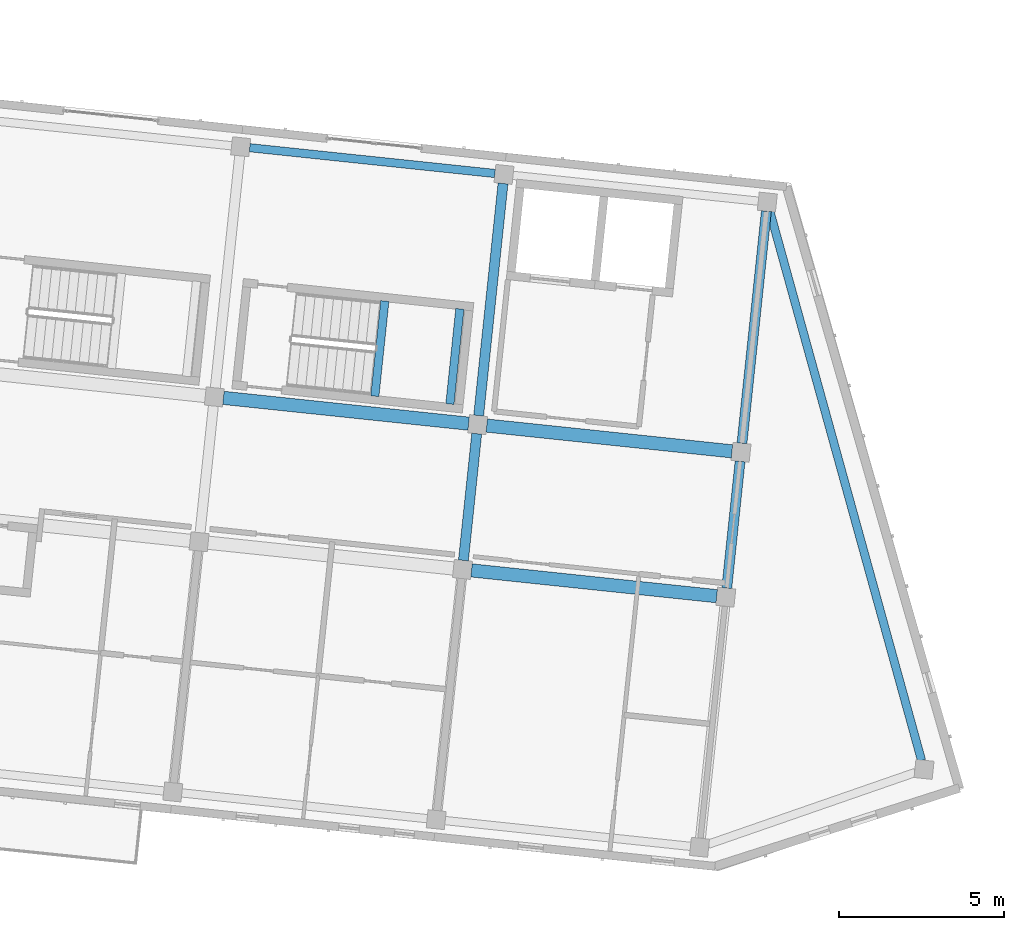
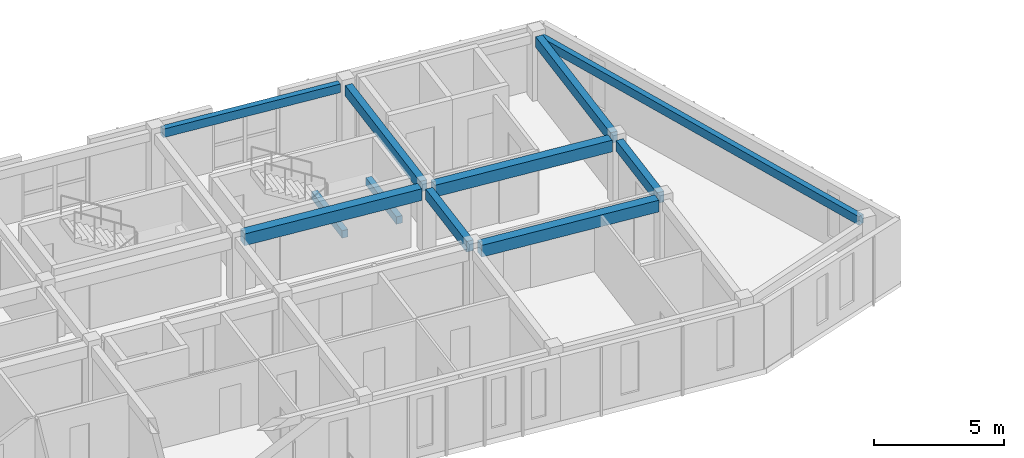
# One storey, part 15 of 68: 11 beams.
"""IFC4 building model written with IfcOpenShell, lengths in metres."""

from ifc_helpers import new_model, si_unit, direction, frame, origin, origin_2d, place, context, subcontext, project, spatial, rectangle, extrude, material, material_profile, profile_set, type_object, element, save


model = new_model("IFC4")

# Units and contexts
model_context = context("Model", 3, precision=1e-05, world=origin(), true_north=direction((0.0, 1.0)))
body_context = subcontext(model_context, "Body", "Model", "MODEL_VIEW")
ifc_project = project(units=[si_unit("LENGTHUNIT", "METRE"), si_unit("AREAUNIT", "SQUARE_METRE"), si_unit("VOLUMEUNIT", "CUBIC_METRE"), si_unit("PLANEANGLEUNIT", "RADIAN"), si_unit("MASSUNIT", "GRAM", prefix="KILO")], contexts=[model_context])

# Site, building, storey
site_placement = place(None, origin())
site = spatial("IfcSite", under=ifc_project, at=site_placement, CompositionType="ELEMENT")
building_placement = place(site_placement, origin())
building = spatial("IfcBuilding", under=site, at=building_placement, Name="Kestramere Prow Commons", CompositionType="ELEMENT")
storey_placement = place(building_placement, frame((0.0, 0.0, 18.14990234375)))
storey = spatial("IfcBuildingStorey", under=building, at=storey_placement, Name="L05", CompositionType="ELEMENT", Elevation=18.14990234375)

# Beams
ifc_material_1 = material(Name="Precast concrete C40/50", Category="concrete")
ifc_material_profile_1 = material_profile(ifc_material_1, rectangle(XDim=0.39990234375, YDim=0.550048828125, at=origin_2d()), Name="PC-BM 400x550")
ifc_profile_set_1 = profile_set([ifc_material_profile_1], Name="Precast concrete C40/50")
beam_type_1 = type_object("IfcBeamType", Name="BM-B1 PC-BM 400x550", PredefinedType="BEAM", material=ifc_profile_set_1)
for number, where, z_axis, x_axis, name in (
    (1, (150.848876953125, 98.1484375, 2.72509765625), (0.994520884665, -0.104538079019, 0.0), (0.104538079019, 0.994520884665, 0.0), "Block B L05 Longitudinal Beam 2-6"),
    (2, (143.3525390625, 103.360595703125, 2.72509765625), (0.994520884665, -0.104538079019, 0.0), (0.104538079019, 0.994520884665, 0.0), "Block B L05 Longitudinal Beam 3-5"),
):
    element("IfcBeam", number, at=place(storey_placement, frame(where, z_axis=z_axis, x_axis=x_axis)), inside=storey, type_object=beam_type_1, Name=name, PredefinedType="BEAM", context=body_context, shape_type="SweptSolid", body=[
        extrude(rectangle(XDim=0.39990234375, YDim=0.550048828125, at=origin_2d()), origin(), (0.0, 0.0, 1.0), 7.449951171875),
    ])
beam_1_placement = place(storey_placement, frame((151.30859375, 102.5244140625, 2.72509765625), z_axis=(0.994521242771, -0.104534672129, 0.0), x_axis=(0.104534672129, 0.994521242771, 0.0)))
element("IfcBeam", 3, at=beam_1_placement, inside=storey, type_object=beam_type_1, Name="Block B L05 Longitudinal Beam 3-6", PredefinedType="BEAM", context=body_context, shape_type="SweptSolid", body=[
    extrude(rectangle(XDim=0.39990234375, YDim=0.550048828125, at=origin_2d()), origin(), (0.0, 0.0, 1.0), 7.4501953125),
])
ifc_material_2 = material(Name="Concrete C40/50", Category="concrete")
ifc_material_profile_2 = material_profile(ifc_material_2, rectangle(XDim=0.25, YDim=0.35009765625, at=origin_2d()), Name="PC-BM 250x350")
ifc_profile_set_2 = profile_set([ifc_material_profile_2], Name="Concrete C40/50")
beam_type_2 = type_object("IfcBeamType", Name="BM-ST-TRIM", PredefinedType="BEAM", material=ifc_profile_set_2)
for number, where, z_axis, x_axis, name in (
    (4, (147.927978515625, 103.41259765625, 1.25), (0.104579248847, 0.994516556278, 0.0), (-0.994516556278, 0.104579248847, 0.0), "ST-B2 L05 Landing Trimmer Beam 1A"),
    (5, (150.195556640625, 103.17431640625, 1.25), (0.104495697268, 0.994525338668, 0.0), (-0.994525338668, 0.104495697268, 0.0), "ST-B2 L05 Landing Trimmer Beam 1B"),
):
    element("IfcBeam", number, at=place(storey_placement, frame(where, z_axis=z_axis, x_axis=x_axis)), inside=storey, type_object=beam_type_2, Name=name, PredefinedType="BEAM", context=body_context, shape_type="SweptSolid", body=[
        extrude(rectangle(XDim=0.25, YDim=0.35009765625, at=origin_2d()), origin(), (0.0, 0.0, 1.0), 2.89013671875),
    ])
ifc_material_profile_3 = material_profile(ifc_material_1, rectangle(XDim=0.300048828125, YDim=0.5, at=origin_2d()), Name="PC-BM 300x500")
ifc_profile_set_3 = profile_set([ifc_material_profile_3], Name="Precast concrete C40/50")
beam_type_3 = type_object("IfcBeamType", Name="BM-TIE-01 PC-BM 300x500", PredefinedType="BEAM", material=ifc_profile_set_3)
beam_2_placement = place(storey_placement, frame((150.60400390625, 98.45068359375, 2.75), z_axis=(0.104569249198, 0.994517607749, 0.0), x_axis=(-0.994517607749, 0.104569249198, 0.0)))
element("IfcBeam", 6, at=beam_2_placement, inside=storey, type_object=beam_type_3, Name="Block B L05 Transverse Beam 6-2", PredefinedType="BEAM", context=body_context, shape_type="SweptSolid", body=[
    extrude(rectangle(XDim=0.300048828125, YDim=0.5, at=origin_2d()), origin(), (0.0, 0.0, 1.0), 3.849853515625),
])
beam_3_placement = place(storey_placement, frame((151.06396484375, 102.82666015625, 2.75), z_axis=(0.104515329964, 0.994523275646, 0.0), x_axis=(-0.994523275646, 0.104515329964, 0.0)))
element("IfcBeam", 7, at=beam_3_placement, inside=storey, type_object=beam_type_3, Name="Block B L05 Transverse Beam 6-3", PredefinedType="BEAM", context=body_context, shape_type="SweptSolid", body=[
    extrude(rectangle(XDim=0.300048828125, YDim=0.5, at=origin_2d()), origin(), (0.0, 0.0, 1.0), 7.0498046875),
])
beam_4_placement = place(storey_placement, frame((158.560302734375, 97.614501953125, 2.75), z_axis=(0.104506528251, 0.994524200587, 0.0), x_axis=(-0.994524200587, 0.104506528251, 0.0)))
element("IfcBeam", 8, at=beam_4_placement, inside=storey, type_object=beam_type_3, Name="Block B L05 Transverse Beam 7-2", PredefinedType="BEAM", context=body_context, shape_type="SweptSolid", body=[
    extrude(rectangle(XDim=0.300048828125, YDim=0.5, at=origin_2d()), origin(), (0.0, 0.0, 1.0), 3.849853515625),
])
beam_5_placement = place(storey_placement, frame((159.02001953125, 101.990478515625, 2.75), z_axis=(0.104549582151, 0.994519675458, 0.0), x_axis=(-0.994519675458, 0.104549582151, 0.0)))
element("IfcBeam", 9, at=beam_5_placement, inside=storey, type_object=beam_type_3, Name="Block B L05 Transverse Beam 7-3", PredefinedType="BEAM", context=body_context, shape_type="SweptSolid", body=[
    extrude(rectangle(XDim=0.300048828125, YDim=0.5, at=origin_2d()), origin(), (0.0, 0.0, 1.0), 7.0498046875),
])
ifc_material_profile_4 = material_profile(ifc_material_1, rectangle(XDim=0.25, YDim=0.39990234375, at=origin_2d()), Name="PC-SP 250x400")
ifc_profile_set_4 = profile_set([ifc_material_profile_4], Name="Precast concrete C40/50")
beam_type_4 = type_object("IfcBeamType", Name="SP-EXT-01 PC-SP 250x400", PredefinedType="SPANDREL", material=ifc_profile_set_4)
beam_6_placement = place(storey_placement, frame((159.8603515625, 109.00537109375, 2.800048828125), z_axis=(0.266276973363, -0.963896557446, 0.0), x_axis=(0.963896557446, 0.266276973363, 0.0)))
element("IfcBeam", 10, at=beam_6_placement, inside=storey, type_object=beam_type_4, Name="Block B L05 Prow Facet Beam N", PredefinedType="SPANDREL", context=body_context, shape_type="SweptSolid", body=[
    extrude(rectangle(XDim=0.25, YDim=0.39990234375, at=origin_2d()), origin(), (0.0, 0.0, 1.0), 17.220703125),
])
beam_7_placement = place(storey_placement, frame((144.14697265625, 110.9189453125, 2.800048828125), z_axis=(0.994520884665, -0.104538079019, 0.0), x_axis=(0.104538079019, 0.994520884665, 0.0)))
element("IfcBeam", 11, at=beam_7_placement, inside=storey, type_object=beam_type_4, Name="Block B L05 Longitudinal Beam 4-5", PredefinedType="SPANDREL", context=body_context, shape_type="SweptSolid", body=[
    extrude(rectangle(XDim=0.25, YDim=0.39990234375, at=origin_2d()), origin(), (0.0, 0.0, 1.0), 7.449951171875),
])

save(model, "model.ifc")
